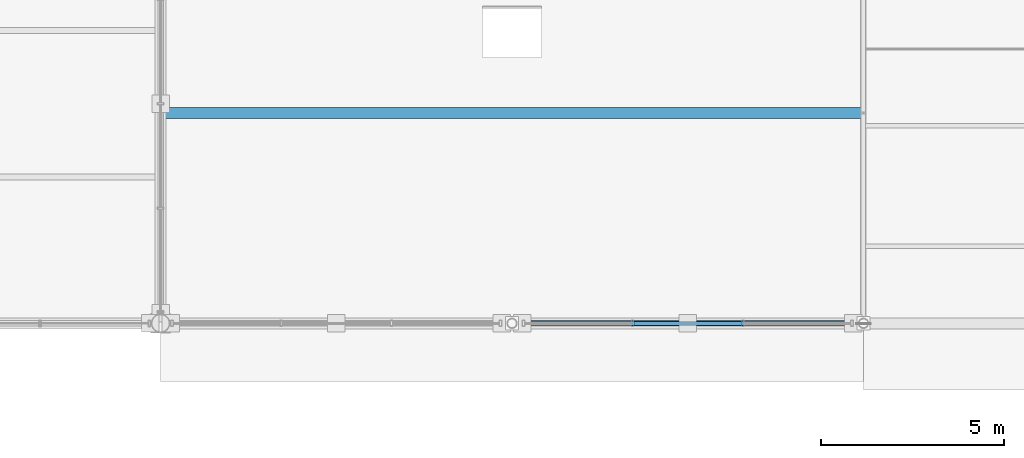
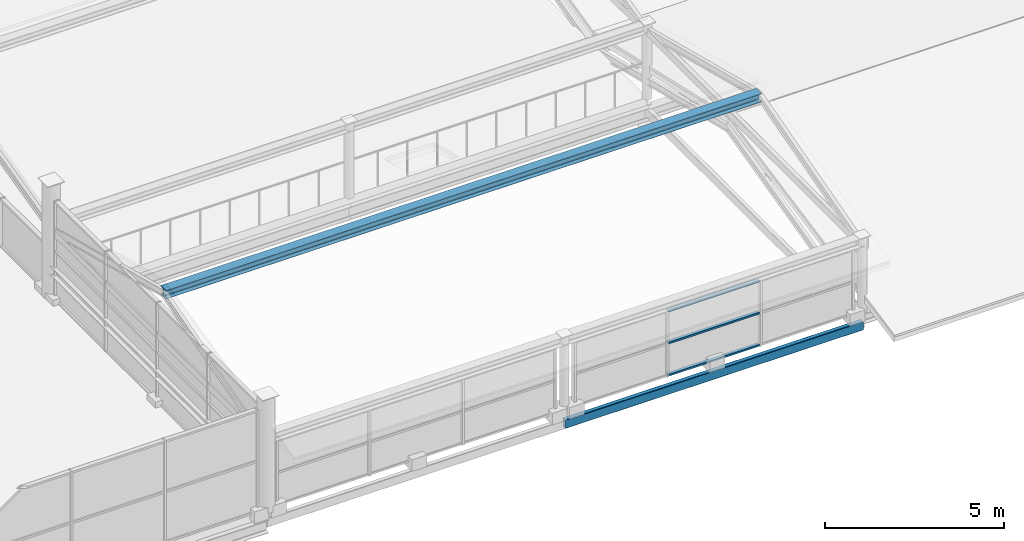
# One storey, part 43 of 117: 3 members, 2 beams, 1 element without a shape of its own.
"""IFC4 building model written with IfcOpenShell, lengths in metres."""

from ifc_helpers import new_model, si_unit, direction, frame, origin, origin_2d, place, context, subcontext, project, spatial, hollow_rectangle, i_section, extrude, material, material_profile, profile_set, type_object, element, aggregate, save


model = new_model("IFC4")

# Units and contexts
model_context = context("Model", 3, precision=1e-05, world=origin(), true_north=direction((0.0, 1.0)))
body_context = subcontext(model_context, "Body", "Model", "MODEL_VIEW")
ifc_project = project(units=[si_unit("LENGTHUNIT", "METRE"), si_unit("AREAUNIT", "SQUARE_METRE"), si_unit("VOLUMEUNIT", "CUBIC_METRE"), si_unit("PLANEANGLEUNIT", "RADIAN"), si_unit("MASSUNIT", "GRAM", prefix="KILO")], contexts=[model_context])

# Site, building, storey
site_placement = place(None, origin())
site = spatial("IfcSite", under=ifc_project, at=site_placement, CompositionType="ELEMENT")
building_placement = place(site_placement, origin())
building = spatial("IfcBuilding", under=site, at=building_placement, Name="Merenkruunu Market Hall", CompositionType="ELEMENT")
storey_placement = place(building_placement, frame((0.0, 0.0, 10.199951171875)))
storey = spatial("IfcBuildingStorey", under=building, at=storey_placement, Name="L02", CompositionType="ELEMENT", Elevation=10.199951171875)

# Curtain wall, members
ifc_material_1 = material(Name="Powder-coated aluminium", Category="aluminium")
curtain_wall_type = type_object("IfcCurtainWallType", Name="Glazed Curtain Wall CW16", PredefinedType="USERDEFINED", material=ifc_material_1)
curtain_wall_placement = place(storey_placement, origin())
curtain_wall = element("IfcCurtainWall", 1, at=curtain_wall_placement, inside=storey, type_object=curtain_wall_type, Name="CW-L02-CWM04-147", ObjectType="GLAZED_FACADE", PredefinedType="USERDEFINED")
ifc_material_profile_1 = material_profile(ifc_material_1, hollow_rectangle(XDim=0.06005859375, YDim=0.110107421875, WallThickness=0.00390625, at=origin_2d()), Name="ALU 60x110x4")
ifc_profile_set_1 = profile_set([ifc_material_profile_1], Name="Powder-coated aluminium")
member_type = type_object("IfcMemberType", Name="Curtain Wall Transom CWT03", PredefinedType="USERDEFINED", material=ifc_profile_set_1)
member_1_placement = place(storey_placement, frame((73.4716796875, 15.60009765625, 0.030029296875), z_axis=(-1.0, 0.0, 0.0), x_axis=(0.0, 0.0, 1.0)))
member_1 = element("IfcMember", 2, at=member_1_placement, type_object=member_type, Name="CW16 transom 2.1", ObjectType="TRANSOM", PredefinedType="USERDEFINED", context=body_context, shape_type="SweptSolid", body=[
    extrude(hollow_rectangle(XDim=0.06005859375, YDim=0.110107421875, WallThickness=0.00390625, at=origin_2d()), origin(), (0.0, 0.0, 1.0), 2.943359375),
])
member_2_placement = place(storey_placement, frame((73.4716796875, 15.60009765625, 1.125), z_axis=(-1.0, 0.0, 0.0), x_axis=(0.0, 0.0, 1.0)))
member_2 = element("IfcMember", 3, at=member_2_placement, type_object=member_type, Name="CW16 transom 2.2", ObjectType="TRANSOM", PredefinedType="USERDEFINED", context=body_context, shape_type="SweptSolid", body=[
    extrude(hollow_rectangle(XDim=0.06005859375, YDim=0.110107421875, WallThickness=0.00390625, at=origin_2d()), origin(), (0.0, 0.0, 1.0), 2.943359375),
])
member_3_placement = place(storey_placement, frame((73.4716796875, 15.60009765625, 2.219970703125), z_axis=(-1.0, 0.0, 0.0), x_axis=(0.0, 0.0, 1.0)))
member_3 = element("IfcMember", 4, at=member_3_placement, type_object=member_type, Name="CW16 transom 2.3", ObjectType="TRANSOM", PredefinedType="USERDEFINED", context=body_context, shape_type="SweptSolid", body=[
    extrude(hollow_rectangle(XDim=0.06005859375, YDim=0.110107421875, WallThickness=0.00390625, at=origin_2d()), origin(), (0.0, 0.0, 1.0), 2.943359375),
])
aggregate(curtain_wall, [member_1, member_2, member_3])

# Beams
ifc_material_2 = material(Name="Steel S355J2", Category="steel")
ifc_material_profile_2 = material_profile(ifc_material_2, hollow_rectangle(XDim=0.14990234375, YDim=0.300048828125, WallThickness=0.012451171875, InnerFilletRadius=0.012451171875, OuterFilletRadius=0.02490234375, at=origin_2d()), Name="RHS 300x150x12.5")
ifc_profile_set_2 = profile_set([ifc_material_profile_2], Name="Steel S355J2")
beam_type_1 = type_object("IfcBeamType", Name="Perimeter Spandrel Beam SP03", PredefinedType="SPANDREL", material=ifc_profile_set_2)
beam_1_placement = place(storey_placement, frame((67.199951171875, 15.60009765625, -0.4599609375), z_axis=(1.0, 0.0, 0.0), x_axis=(0.0, 1.0, 0.0)))
element("IfcBeam", 5, at=beam_1_placement, inside=storey, type_object=beam_type_1, Name="BM-L02-SP03-1263", PredefinedType="SPANDREL", context=body_context, shape_type="SweptSolid", body=[
    extrude(hollow_rectangle(XDim=0.14990234375, YDim=0.300048828125, WallThickness=0.012451171875, InnerFilletRadius=0.012451171875, OuterFilletRadius=0.02490234375, at=origin_2d()), origin(), (0.0, 0.0, 1.0), 9.60009765625),
])
ifc_material_profile_3 = material_profile(ifc_material_2, i_section(OverallWidth=0.300048828125, OverallDepth=0.2900390625, WebThickness=0.008544921875, FlangeThickness=0.013916015625, FilletRadius=0.027099609375, at=origin_2d()), Name="HEA 300")
ifc_profile_set_3 = profile_set([ifc_material_profile_3], Name="Steel S355J2")
beam_type_2 = type_object("IfcBeamType", Name="Primary Floor Girder B09", PredefinedType="BEAM", material=ifc_profile_set_3)
beam_2_placement = place(storey_placement, frame((57.60009765625, 21.343994140625, 3.875), z_axis=(1.0, 0.0, 0.0), x_axis=(0.0, 1.0, 0.0)))
element("IfcBeam", 6, at=beam_2_placement, inside=storey, type_object=beam_type_2, Name="BM-L02-B09-1295", PredefinedType="BEAM", context=body_context, shape_type="SweptSolid", body=[
    extrude(i_section(OverallWidth=0.300048828125, OverallDepth=0.2900390625, WebThickness=0.008544921875, FlangeThickness=0.013916015625, FilletRadius=0.027099609375, at=origin_2d()), origin(), (0.0, 0.0, 1.0), 19.199951171875),
])

save(model, "model.ifc")
